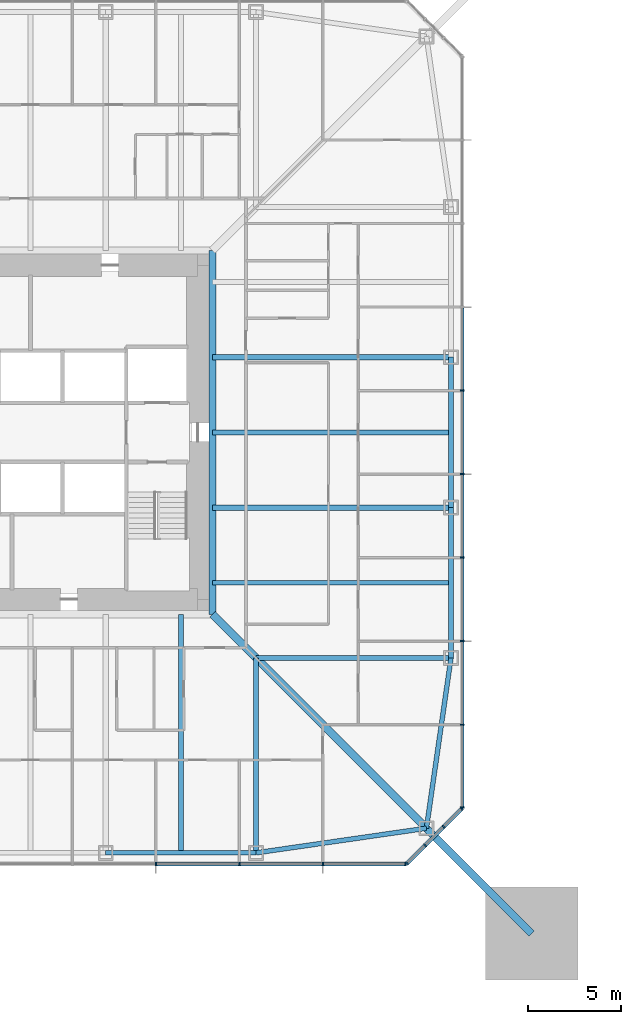
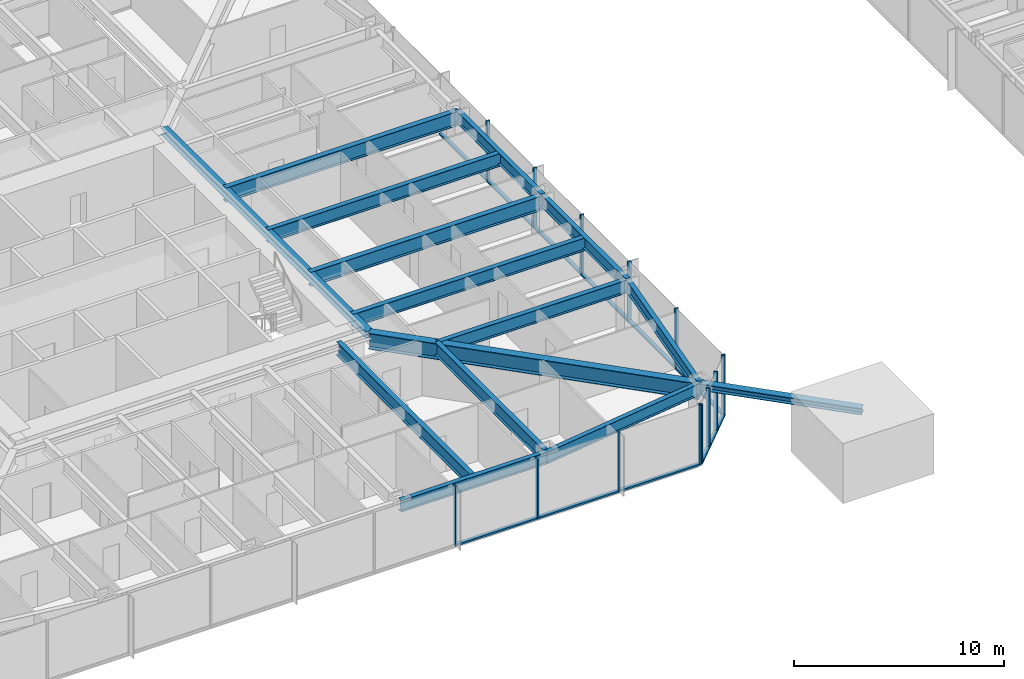
# One storey, part 5 of 26: 27 members, 14 beams, 3 elements without a shape of their own.
"""IFC4 building model written with IfcOpenShell, lengths in metres."""

from ifc_helpers import new_model, si_unit, direction, frame, origin, origin_2d, place, context, subcontext, project, spatial, rectangle, i_section, extrude, material, material_profile, profile_set, type_object, element, aggregate, save


model = new_model("IFC4")

# Units and contexts
model_context = context("Model", 3, precision=1e-05, world=origin(), true_north=direction((0.0, 1.0)))
body_context = subcontext(model_context, "Body", "Model", "MODEL_VIEW")
ifc_project = project(units=[si_unit("LENGTHUNIT", "METRE"), si_unit("AREAUNIT", "SQUARE_METRE"), si_unit("VOLUMEUNIT", "CUBIC_METRE"), si_unit("PLANEANGLEUNIT", "RADIAN"), si_unit("MASSUNIT", "GRAM", prefix="KILO")], contexts=[model_context])

# Site, building, storey
site_placement = place(None, origin())
site = spatial("IfcSite", under=ifc_project, at=site_placement, CompositionType="ELEMENT")
building_placement = place(site_placement, origin())
building = spatial("IfcBuilding", under=site, at=building_placement, Name="Iwan Alto Co-Living Towers", CompositionType="ELEMENT")
storey_placement = place(building_placement, frame((0.0, 0.0, 57.0)))
storey = spatial("IfcBuildingStorey", under=building, at=storey_placement, Name="L15", CompositionType="ELEMENT", Elevation=57.0)

# Curtain wall, members
ifc_material_1 = material(Name="Bronze aluminium unitised frame", Category="aluminium")
curtain_wall_type_1 = type_object("IfcCurtainWallType", Name="CURTAIN WALL CW-A", PredefinedType="NOTDEFINED", material=ifc_material_1)
curtain_wall_1_placement = place(storey_placement, origin())
curtain_wall_1 = element("IfcCurtainWall", 1, at=curtain_wall_1_placement, inside=storey, type_object=curtain_wall_type_1, Name="T1 curtain wall S L15", PredefinedType="NOTDEFINED")
ifc_material_2 = material(Name="Aluminium 6063-T6 bronze anodised", Category="aluminium")
ifc_material_profile_1 = material_profile(ifc_material_2, rectangle(XDim=0.199951171875, YDim=0.080078125, at=origin_2d()), Name="AL 80X200")
ifc_profile_set_1 = profile_set([ifc_material_profile_1], Name="Aluminium 6063-T6 bronze anodised")
member_type_1 = type_object("IfcMemberType", Name="CW-A MULLION 80X200", PredefinedType="MULLION", material=ifc_profile_set_1)
member_1_placement = place(storey_placement, frame((6.75, -23.25, 0.0), z_axis=(0.0, 0.0, 1.0), x_axis=(0.0, 1.0, 0.0)))
member_1 = element("IfcMember", 2, at=member_1_placement, type_object=member_type_1, Name="CW-A mullion 7", PredefinedType="MULLION", context=body_context, shape_type="SweptSolid", body=[
    extrude(rectangle(XDim=0.199951171875, YDim=0.080078125, at=origin_2d()), origin(), (0.0, 0.0, 1.0), 3.5),
])
member_2_placement = place(storey_placement, frame((11.25, -23.25, 0.0), z_axis=(0.0, 0.0, 1.0), x_axis=(0.0, 1.0, 0.0)))
member_2 = element("IfcMember", 3, at=member_2_placement, type_object=member_type_1, Name="CW-A mullion 8", PredefinedType="MULLION", context=body_context, shape_type="SweptSolid", body=[
    extrude(rectangle(XDim=0.199951171875, YDim=0.080078125, at=origin_2d()), origin(), (0.0, 0.0, 1.0), 3.5),
])
member_3_placement = place(storey_placement, frame((15.75, -23.25, 0.0), z_axis=(0.0, 0.0, 1.0), x_axis=(0.0, 1.0, 0.0)))
member_3 = element("IfcMember", 4, at=member_3_placement, type_object=member_type_1, Name="CW-A mullion 9", PredefinedType="MULLION", context=body_context, shape_type="SweptSolid", body=[
    extrude(rectangle(XDim=0.199951171875, YDim=0.080078125, at=origin_2d()), origin(), (0.0, 0.0, 1.0), 3.5),
])
member_4_placement = place(storey_placement, frame((20.2099609375, -23.25, 0.0), z_axis=(0.0, 0.0, 1.0), x_axis=(0.0, 1.0, 0.0)))
member_4 = element("IfcMember", 5, at=member_4_placement, type_object=member_type_1, Name="CW-A mullion 10", PredefinedType="MULLION", context=body_context, shape_type="SweptSolid", body=[
    extrude(rectangle(XDim=0.199951171875, YDim=0.080078125, at=origin_2d()), origin(), (0.0, 0.0, 1.0), 3.5),
])

curtain_wall_2_placement = place(storey_placement, origin())
curtain_wall_2 = element("IfcCurtainWall", 6, at=curtain_wall_2_placement, inside=storey, type_object=curtain_wall_type_1, Name="T1 curtain wall E L15", PredefinedType="NOTDEFINED")
member_5_placement = place(storey_placement, frame((23.25, -20.2099609375, 0.0), z_axis=(0.0, 0.0, 1.0), x_axis=(-1.0, 0.0, 0.0)))
member_5 = element("IfcMember", 7, at=member_5_placement, type_object=member_type_1, Name="CW-A mullion 1", PredefinedType="MULLION", context=body_context, shape_type="SweptSolid", body=[
    extrude(rectangle(XDim=0.199951171875, YDim=0.080078125, at=origin_2d()), origin(), (0.0, 0.0, 1.0), 3.5),
])
member_6_placement = place(storey_placement, frame((23.25, -15.75, 0.0), z_axis=(0.0, 0.0, 1.0), x_axis=(-1.0, 0.0, 0.0)))
member_6 = element("IfcMember", 8, at=member_6_placement, type_object=member_type_1, Name="CW-A mullion 2", PredefinedType="MULLION", context=body_context, shape_type="SweptSolid", body=[
    extrude(rectangle(XDim=0.199951171875, YDim=0.080078125, at=origin_2d()), origin(), (0.0, 0.0, 1.0), 3.5),
])
member_7_placement = place(storey_placement, frame((23.25, -11.25, 0.0), z_axis=(0.0, 0.0, 1.0), x_axis=(-1.0, 0.0, 0.0)))
member_7 = element("IfcMember", 9, at=member_7_placement, type_object=member_type_1, Name="CW-A mullion 3", PredefinedType="MULLION", context=body_context, shape_type="SweptSolid", body=[
    extrude(rectangle(XDim=0.199951171875, YDim=0.080078125, at=origin_2d()), origin(), (0.0, 0.0, 1.0), 3.5),
])
member_8_placement = place(storey_placement, frame((23.25, -6.75, 0.0), z_axis=(0.0, 0.0, 1.0), x_axis=(-1.0, 0.0, 0.0)))
member_8 = element("IfcMember", 10, at=member_8_placement, type_object=member_type_1, Name="CW-A mullion 4", PredefinedType="MULLION", context=body_context, shape_type="SweptSolid", body=[
    extrude(rectangle(XDim=0.199951171875, YDim=0.080078125, at=origin_2d()), origin(), (0.0, 0.0, 1.0), 3.5),
])
member_9_placement = place(storey_placement, frame((23.25, -2.25, 0.0), z_axis=(0.0, 0.0, 1.0), x_axis=(-1.0, 0.0, 0.0)))
member_9 = element("IfcMember", 11, at=member_9_placement, type_object=member_type_1, Name="CW-A mullion 5", PredefinedType="MULLION", context=body_context, shape_type="SweptSolid", body=[
    extrude(rectangle(XDim=0.199951171875, YDim=0.080078125, at=origin_2d()), origin(), (0.0, 0.0, 1.0), 3.5),
])
member_10_placement = place(storey_placement, frame((23.25, 2.25, 0.0), z_axis=(0.0, 0.0, 1.0), x_axis=(-1.0, 0.0, 0.0)))
member_10 = element("IfcMember", 12, at=member_10_placement, type_object=member_type_1, Name="CW-A mullion 6", PredefinedType="MULLION", context=body_context, shape_type="SweptSolid", body=[
    extrude(rectangle(XDim=0.199951171875, YDim=0.080078125, at=origin_2d()), origin(), (0.0, 0.0, 1.0), 3.5),
])

# Member
ifc_material_3 = material(Name="Aluminium 6063-T6 bronze anodised", Category="aluminium")
ifc_material_profile_2 = material_profile(ifc_material_3, rectangle(XDim=0.199951171875, YDim=0.10009765625, at=origin_2d()), Name="AL 200X100")
ifc_profile_set_2 = profile_set([ifc_material_profile_2], Name="Aluminium 6063-T6 bronze anodised")
member_type_2 = type_object("IfcMemberType", Name="CW-A TRANSOM 200X100", PredefinedType="USERDEFINED", material=ifc_profile_set_2)
member_11_placement = place(storey_placement, frame((6.7900390625, -23.25, 0.050048828125), z_axis=(1.0, 0.0, 0.0), x_axis=(0.0, 1.0, 0.0)))
member_11 = element("IfcMember", 13, at=member_11_placement, type_object=member_type_2, Name="CW-A transom 7.1", ObjectType="TRANSOM", PredefinedType="USERDEFINED", context=body_context, shape_type="SweptSolid", body=[
    extrude(rectangle(XDim=0.199951171875, YDim=0.10009765625, at=origin_2d()), origin(), (0.0, 0.0, 1.0), 4.419921875),
])

member_12_placement = place(storey_placement, frame((11.2900390625, -23.25, 0.050048828125), z_axis=(1.0, 0.0, 0.0), x_axis=(0.0, 1.0, 0.0)))
member_12 = element("IfcMember", 14, at=member_12_placement, type_object=member_type_2, Name="CW-A transom 8.1", ObjectType="TRANSOM", PredefinedType="USERDEFINED", context=body_context, shape_type="SweptSolid", body=[
    extrude(rectangle(XDim=0.199951171875, YDim=0.10009765625, at=origin_2d()), origin(), (0.0, 0.0, 1.0), 4.419921875),
])

member_13_placement = place(storey_placement, frame((15.7900390625, -23.25, 0.050048828125), z_axis=(1.0, 0.0, 0.0), x_axis=(0.0, 1.0, 0.0)))
member_13 = element("IfcMember", 15, at=member_13_placement, type_object=member_type_2, Name="CW-A transom 9.1", ObjectType="TRANSOM", PredefinedType="USERDEFINED", context=body_context, shape_type="SweptSolid", body=[
    extrude(rectangle(XDim=0.199951171875, YDim=0.10009765625, at=origin_2d()), origin(), (0.0, 0.0, 1.0), 4.3798828125),
])

aggregate(curtain_wall_1, [member_1, member_2, member_3, member_4, member_11, member_12, member_13])

member_14_placement = place(storey_placement, frame((23.25, -20.169921875, 0.050048828125), z_axis=(0.0, 1.0, 0.0), x_axis=(-1.0, 0.0, 0.0)))
member_14 = element("IfcMember", 16, at=member_14_placement, type_object=member_type_2, Name="CW-A transom 1.1", ObjectType="TRANSOM", PredefinedType="USERDEFINED", context=body_context, shape_type="SweptSolid", body=[
    extrude(rectangle(XDim=0.199951171875, YDim=0.10009765625, at=origin_2d()), origin(), (0.0, 0.0, 1.0), 4.3798828125),
])

member_15_placement = place(storey_placement, frame((23.25, -15.7099609375, 0.050048828125), z_axis=(0.0, 1.0, 0.0), x_axis=(-1.0, 0.0, 0.0)))
member_15 = element("IfcMember", 17, at=member_15_placement, type_object=member_type_2, Name="CW-A transom 2.1", ObjectType="TRANSOM", PredefinedType="USERDEFINED", context=body_context, shape_type="SweptSolid", body=[
    extrude(rectangle(XDim=0.199951171875, YDim=0.10009765625, at=origin_2d()), origin(), (0.0, 0.0, 1.0), 4.419921875),
])

member_16_placement = place(storey_placement, frame((23.25, -11.2099609375, 0.050048828125), z_axis=(0.0, 1.0, 0.0), x_axis=(-1.0, 0.0, 0.0)))
member_16 = element("IfcMember", 18, at=member_16_placement, type_object=member_type_2, Name="CW-A transom 3.1", ObjectType="TRANSOM", PredefinedType="USERDEFINED", context=body_context, shape_type="SweptSolid", body=[
    extrude(rectangle(XDim=0.199951171875, YDim=0.10009765625, at=origin_2d()), origin(), (0.0, 0.0, 1.0), 4.419921875),
])

member_17_placement = place(storey_placement, frame((23.25, -6.7099609375, 0.050048828125), z_axis=(0.0, 1.0, 0.0), x_axis=(-1.0, 0.0, 0.0)))
member_17 = element("IfcMember", 19, at=member_17_placement, type_object=member_type_2, Name="CW-A transom 4.1", ObjectType="TRANSOM", PredefinedType="USERDEFINED", context=body_context, shape_type="SweptSolid", body=[
    extrude(rectangle(XDim=0.199951171875, YDim=0.10009765625, at=origin_2d()), origin(), (0.0, 0.0, 1.0), 4.419921875),
])

member_18_placement = place(storey_placement, frame((23.25, -2.2099609375, 0.050048828125), z_axis=(0.0, 1.0, 0.0), x_axis=(-1.0, 0.0, 0.0)))
member_18 = element("IfcMember", 20, at=member_18_placement, type_object=member_type_2, Name="CW-A transom 5.1", ObjectType="TRANSOM", PredefinedType="USERDEFINED", context=body_context, shape_type="SweptSolid", body=[
    extrude(rectangle(XDim=0.199951171875, YDim=0.10009765625, at=origin_2d()), origin(), (0.0, 0.0, 1.0), 4.419921875),
])

member_19_placement = place(storey_placement, frame((23.25, 2.2900390625, 0.050048828125), z_axis=(0.0, 1.0, 0.0), x_axis=(-1.0, 0.0, 0.0)))
member_19 = element("IfcMember", 21, at=member_19_placement, type_object=member_type_2, Name="CW-A transom 6.1", ObjectType="TRANSOM", PredefinedType="USERDEFINED", context=body_context, shape_type="SweptSolid", body=[
    extrude(rectangle(XDim=0.199951171875, YDim=0.10009765625, at=origin_2d()), origin(), (0.0, 0.0, 1.0), 4.419921875),
])

aggregate(curtain_wall_2, [member_5, member_6, member_7, member_8, member_9, member_10, member_14, member_15, member_16, member_17, member_18, member_19])

# Curtain wall, members
ifc_material_4 = material(Name="Bronze aluminium unitised frame", Category="aluminium")
curtain_wall_type_2 = type_object("IfcCurtainWallType", Name="CURTAIN WALL CW-B", PredefinedType="NOTDEFINED", material=ifc_material_4)
curtain_wall_3_placement = place(storey_placement, origin())
curtain_wall_3 = element("IfcCurtainWall", 22, at=curtain_wall_3_placement, inside=storey, type_object=curtain_wall_type_2, Name="T1 chamfer curtain wall SE L15", PredefinedType="NOTDEFINED")
ifc_material_5 = material(Name="Aluminium 6063-T6 bronze anodised", Category="aluminium")
ifc_material_profile_3 = material_profile(ifc_material_5, rectangle(XDim=0.199951171875, YDim=0.080078125, at=origin_2d()), Name="AL 80X200")
ifc_profile_set_3 = profile_set([ifc_material_profile_3], Name="Aluminium 6063-T6 bronze anodised")
member_type_3 = type_object("IfcMemberType", Name="CW-B MULLION 80X200", PredefinedType="MULLION", material=ifc_profile_set_3)
member_20_placement = place(storey_placement, frame((20.2783203125, -23.2216796875, 0.0), z_axis=(0.0, 0.0, 1.0), x_axis=(-0.707106781187, 0.707106781187, 0.0)))
member_20 = element("IfcMember", 23, at=member_20_placement, type_object=member_type_3, Name="CW-B mullion 1", PredefinedType="MULLION", context=body_context, shape_type="SweptSolid", body=[
    extrude(rectangle(XDim=0.199951171875, YDim=0.080078125, at=origin_2d()), origin(), (0.0, 0.0, 1.0), 3.5),
])
member_21_placement = place(storey_placement, frame((21.25, -22.25, 0.0), z_axis=(0.0, 0.0, 1.0), x_axis=(-0.707106781187, 0.707106781187, 0.0)))
member_21 = element("IfcMember", 24, at=member_21_placement, type_object=member_type_3, Name="CW-B mullion 2", PredefinedType="MULLION", context=body_context, shape_type="SweptSolid", body=[
    extrude(rectangle(XDim=0.199951171875, YDim=0.080078125, at=origin_2d()), origin(), (0.0, 0.0, 1.0), 3.5),
])
member_22_placement = place(storey_placement, frame((22.25, -21.25, 0.0), z_axis=(0.0, 0.0, 1.0), x_axis=(-0.707106781187, 0.707106781187, 0.0)))
member_22 = element("IfcMember", 25, at=member_22_placement, type_object=member_type_3, Name="CW-B mullion 3", PredefinedType="MULLION", context=body_context, shape_type="SweptSolid", body=[
    extrude(rectangle(XDim=0.199951171875, YDim=0.080078125, at=origin_2d()), origin(), (0.0, 0.0, 1.0), 3.5),
])
member_23_placement = place(storey_placement, frame((23.2216796875, -20.2783203125, 0.0), z_axis=(0.0, 0.0, 1.0), x_axis=(-0.707106781187, 0.707106781187, 0.0)))
member_23 = element("IfcMember", 26, at=member_23_placement, type_object=member_type_3, Name="CW-B mullion 4", PredefinedType="MULLION", context=body_context, shape_type="SweptSolid", body=[
    extrude(rectangle(XDim=0.199951171875, YDim=0.080078125, at=origin_2d()), origin(), (0.0, 0.0, 1.0), 3.5),
])
ifc_material_6 = material(Name="Aluminium 6063-T6 bronze anodised", Category="aluminium")
ifc_material_profile_4 = material_profile(ifc_material_6, rectangle(XDim=0.199951171875, YDim=0.10009765625, at=origin_2d()), Name="AL 200X100")
ifc_profile_set_4 = profile_set([ifc_material_profile_4], Name="Aluminium 6063-T6 bronze anodised")
member_type_4 = type_object("IfcMemberType", Name="CW-B TRANSOM 200X100", PredefinedType="USERDEFINED", material=ifc_profile_set_4)
member_24_placement = place(storey_placement, frame((20.306640625, -23.193359375, 0.050048828125), z_axis=(0.707106781187, 0.707106781187, 0.0), x_axis=(-0.707106781187, 0.707106781187, 0.0)))
member_24 = element("IfcMember", 27, at=member_24_placement, type_object=member_type_4, Name="CW-B transom 1.1", ObjectType="TRANSOM", PredefinedType="USERDEFINED", context=body_context, shape_type="SweptSolid", body=[
    extrude(rectangle(XDim=0.199951171875, YDim=0.10009765625, at=origin_2d()), origin(), (0.0, 0.0, 1.0), 1.2939453125),
])
member_25_placement = place(storey_placement, frame((21.2783203125, -22.2216796875, 0.050048828125), z_axis=(0.707106781187, 0.707106781187, 0.0), x_axis=(-0.707106781187, 0.707106781187, 0.0)))
member_25 = element("IfcMember", 28, at=member_25_placement, type_object=member_type_4, Name="CW-B transom 2.1", ObjectType="TRANSOM", PredefinedType="USERDEFINED", context=body_context, shape_type="SweptSolid", body=[
    extrude(rectangle(XDim=0.199951171875, YDim=0.10009765625, at=origin_2d()), origin(), (0.0, 0.0, 1.0), 1.334228515625),
])
member_26_placement = place(storey_placement, frame((22.2783203125, -21.2216796875, 0.050048828125), z_axis=(0.707106781187, 0.707106781187, 0.0), x_axis=(-0.707106781187, 0.707106781187, 0.0)))
member_26 = element("IfcMember", 29, at=member_26_placement, type_object=member_type_4, Name="CW-B transom 3.1", ObjectType="TRANSOM", PredefinedType="USERDEFINED", context=body_context, shape_type="SweptSolid", body=[
    extrude(rectangle(XDim=0.199951171875, YDim=0.10009765625, at=origin_2d()), origin(), (0.0, 0.0, 1.0), 1.2939453125),
])
aggregate(curtain_wall_3, [member_20, member_21, member_22, member_23, member_24, member_25, member_26])

# Beams
ifc_material_7 = material(Name="Steel ASTM A992 Gr 50", Category="steel")
ifc_material_profile_5 = material_profile(ifc_material_7, i_section(OverallWidth=0.398681640625, OverallDepth=0.385986328125, WebThickness=0.02099609375, FlangeThickness=0.033203125, at=origin_2d()), Name="W14X176")
ifc_profile_set_5 = profile_set([ifc_material_profile_5], Name="Steel ASTM A992 Gr 50")
beam_type_1 = type_object("IfcBeamType", Name="T1 CORE LEDGER BEAM W14X176", PredefinedType="BEAM", material=ifc_profile_set_5)
beam_1_placement = place(storey_placement, frame((9.79931640625, -9.79931640625, 3.076904296875), z_axis=(0.0, 1.0, 0.0), x_axis=(-1.0, 0.0, 0.0)))
element("IfcBeam", 30, at=beam_1_placement, inside=storey, type_object=beam_type_1, Name="T1 core ledger beam E L16", PredefinedType="BEAM", context=body_context, shape_type="SweptSolid", body=[
    extrude(i_section(OverallWidth=0.398681640625, OverallDepth=0.385986328125, WebThickness=0.02099609375, FlangeThickness=0.033203125, at=origin_2d()), origin(), (0.0, 0.0, 1.0), 19.5986328125),
])
ifc_material_8 = material(Name="Steel ASTM A992 Gr 50", Category="steel")
ifc_material_profile_6 = material_profile(ifc_material_8, i_section(OverallWidth=0.419189453125, OverallDepth=0.927001953125, WebThickness=0.019287109375, FlangeThickness=0.031982421875, at=origin_2d()), Name="W36X231")
ifc_profile_set_6 = profile_set([ifc_material_profile_6], Name="Steel ASTM A992 Gr 50")
beam_type_2 = type_object("IfcBeamType", Name="T1 CORNER GIRDER W36X231", PredefinedType="BEAM", material=ifc_profile_set_6)
beam_2_placement = place(storey_placement, frame((21.32568359375, -21.32568359375, 2.806396484375), z_axis=(-0.707106781187, 0.707106781187, 0.0), x_axis=(-0.707106781187, -0.707106781187, 0.0)))
element("IfcBeam", 31, at=beam_2_placement, inside=storey, type_object=beam_type_2, Name="T1 corner girder CSE L16", PredefinedType="BEAM", context=body_context, shape_type="SweptSolid", body=[
    extrude(i_section(OverallWidth=0.419189453125, OverallDepth=0.927001953125, WebThickness=0.019287109375, FlangeThickness=0.031982421875, at=origin_2d()), origin(), (0.0, 0.0, 1.0), 16.30078125),
])
ifc_material_9 = material(Name="Steel ASTM A992 Gr 50", Category="steel")
ifc_material_profile_7 = material_profile(ifc_material_9, i_section(OverallWidth=0.25390625, OverallDepth=0.683349609375, WebThickness=0.012451171875, FlangeThickness=0.018798828125, at=origin_2d()), Name="W27X94")
ifc_profile_set_7 = profile_set([ifc_material_profile_7], Name="Steel ASTM A992 Gr 50")
beam_type_3 = type_object("IfcBeamType", Name="T1 EDGE BEAM W27X94", PredefinedType="BEAM", material=ifc_profile_set_7)
beam_3_placement = place(storey_placement, frame((4.050048828125, -22.64990234375, 2.928466796875), z_axis=(1.0, 0.0, 0.0), x_axis=(0.0, 1.0, 0.0)))
element("IfcBeam", 32, at=beam_3_placement, inside=storey, type_object=beam_type_3, Name="T1 edge beam S3 L16", PredefinedType="BEAM", context=body_context, shape_type="SweptSolid", body=[
    extrude(i_section(OverallWidth=0.25390625, OverallDepth=0.683349609375, WebThickness=0.012451171875, FlangeThickness=0.018798828125, at=origin_2d()), origin(), (0.0, 0.0, 1.0), 8.099853515625),
])
for number, where, z_axis, x_axis, name in (
    (33, (12.14990234375, -22.64990234375, 2.928466796875), (0.989746234347, 0.142836940589, 0.0), (-0.142836940589, 0.989746234347, 0.0), "T1 edge beam S4 L16"),
    (34, (21.32568359375, -21.32568359375, 2.928466796875), (0.142836940589, 0.989746234347, 0.0), (-0.989746234347, 0.142836940589, 0.0), "T1 edge beam CSE L16"),
):
    element("IfcBeam", number, at=place(storey_placement, frame(where, z_axis=z_axis, x_axis=x_axis)), inside=storey, type_object=beam_type_3, Name=name, PredefinedType="BEAM", context=body_context, shape_type="SweptSolid", body=[
        extrude(i_section(OverallWidth=0.25390625, OverallDepth=0.683349609375, WebThickness=0.012451171875, FlangeThickness=0.018798828125, at=origin_2d()), origin(), (0.0, 0.0, 1.0), 9.270751953125),
    ])
beam_4_placement = place(storey_placement, frame((22.64990234375, -12.14990234375, 2.928466796875), z_axis=(0.0, 1.0, 0.0), x_axis=(-1.0, 0.0, 0.0)))
element("IfcBeam", 35, at=beam_4_placement, inside=storey, type_object=beam_type_3, Name="T1 edge beam E1 L16", PredefinedType="BEAM", context=body_context, shape_type="SweptSolid", body=[
    extrude(i_section(OverallWidth=0.25390625, OverallDepth=0.683349609375, WebThickness=0.012451171875, FlangeThickness=0.018798828125, at=origin_2d()), origin(), (0.0, 0.0, 1.0), 8.099853515625),
])
beam_5_placement = place(storey_placement, frame((22.64990234375, -4.050048828125, 2.928466796875), z_axis=(0.0, 1.0, 0.0), x_axis=(-1.0, 0.0, 0.0)))
element("IfcBeam", 36, at=beam_5_placement, inside=storey, type_object=beam_type_3, Name="T1 edge beam E2 L16", PredefinedType="BEAM", context=body_context, shape_type="SweptSolid", body=[
    extrude(i_section(OverallWidth=0.25390625, OverallDepth=0.683349609375, WebThickness=0.012451171875, FlangeThickness=0.018798828125, at=origin_2d()), origin(), (0.0, 0.0, 1.0), 8.10009765625),
])

# Member
ifc_material_10 = material(Name="Steel ASTM A992 Gr 50", Category="steel")
ifc_material_profile_8 = material_profile(ifc_material_10, i_section(OverallWidth=0.393798828125, OverallDepth=0.3759765625, WebThickness=0.017333984375, FlangeThickness=0.027587890625, at=origin_2d()), Name="W14X145")
ifc_profile_set_8 = profile_set([ifc_material_profile_8], Name="Steel ASTM A992 Gr 50")
member_type_5 = type_object("IfcMemberType", Name="T1 MEGA COLUMN FLOOR TIE W14X145", PredefinedType="STRUT", material=ifc_profile_set_8)
member_27_placement = place(storey_placement, frame((27.0, -27.0, 3.08203125), z_axis=(-0.707106781187, 0.707106781187, 0.0), x_axis=(-0.707106781187, -0.707106781187, 0.0)))
element("IfcMember", 37, at=member_27_placement, inside=storey, type_object=member_type_5, Name="T1 mega column floor tie SE L16", PredefinedType="STRUT", context=body_context, shape_type="SweptSolid", body=[
    extrude(i_section(OverallWidth=0.393798828125, OverallDepth=0.3759765625, WebThickness=0.017333984375, FlangeThickness=0.027587890625, at=origin_2d()), origin(), (0.0, 0.0, 1.0), 8.024658203125),
])

# Beams
ifc_material_11 = material(Name="Steel ASTM A992 Gr 50", Category="steel")
ifc_material_profile_9 = material_profile(ifc_material_11, i_section(OverallWidth=0.2666015625, OverallDepth=0.761962890625, WebThickness=0.014404296875, FlangeThickness=0.021484375, at=origin_2d()), Name="W30X116")
ifc_profile_set_9 = profile_set([ifc_material_profile_9], Name="Steel ASTM A992 Gr 50")
beam_type_4 = type_object("IfcBeamType", Name="T1 RADIAL BEAM W30X116", PredefinedType="BEAM", material=ifc_profile_set_9)
for number, where, z_axis, x_axis, name in (
    (38, (12.14990234375, -22.64990234375, 2.888916015625), (0.0, 1.0, 0.0), (-1.0, 0.0, 0.0), "T1 radial beam S4 L16"),
    (39, (22.64990234375, -12.14990234375, 2.888916015625), (-1.0, 0.0, 0.0), (0.0, -1.0, 0.0), "T1 radial beam E1 L16"),
):
    element("IfcBeam", number, at=place(storey_placement, frame(where, z_axis=z_axis, x_axis=x_axis)), inside=storey, type_object=beam_type_4, Name=name, PredefinedType="BEAM", context=body_context, shape_type="SweptSolid", body=[
        extrude(i_section(OverallWidth=0.2666015625, OverallDepth=0.761962890625, WebThickness=0.014404296875, FlangeThickness=0.021484375, at=origin_2d()), origin(), (0.0, 0.0, 1.0), 10.5),
    ])
ifc_material_12 = material(Name="Steel ASTM A992 Gr 50", Category="steel")
ifc_material_profile_10 = material_profile(ifc_material_12, i_section(OverallWidth=0.2919921875, OverallDepth=0.8408203125, WebThickness=0.0146484375, FlangeThickness=0.021728515625, at=origin_2d()), Name="W33X130")
ifc_profile_set_10 = profile_set([ifc_material_profile_10], Name="Steel ASTM A992 Gr 50")
beam_type_5 = type_object("IfcBeamType", Name="T1 RADIAL BEAM W33X130", PredefinedType="BEAM", material=ifc_profile_set_10)
for number, where, z_axis, x_axis, name in (
    (40, (22.64990234375, -4.050048828125, 2.849609375), (-1.0, 0.0, 0.0), (0.0, -1.0, 0.0), "T1 radial beam E2 L16"),
    (41, (22.64990234375, 4.050048828125, 2.849609375), (-1.0, 0.0, 0.0), (0.0, -1.0, 0.0), "T1 radial beam E3 L16"),
):
    element("IfcBeam", number, at=place(storey_placement, frame(where, z_axis=z_axis, x_axis=x_axis)), inside=storey, type_object=beam_type_5, Name=name, PredefinedType="BEAM", context=body_context, shape_type="SweptSolid", body=[
        extrude(i_section(OverallWidth=0.2919921875, OverallDepth=0.8408203125, WebThickness=0.0146484375, FlangeThickness=0.021728515625, at=origin_2d()), origin(), (0.0, 0.0, 1.0), 12.8505859375),
    ])
ifc_material_13 = material(Name="Steel ASTM A992 Gr 50", Category="steel")
ifc_material_profile_11 = material_profile(ifc_material_13, i_section(OverallWidth=0.2666015625, OverallDepth=0.761962890625, WebThickness=0.014404296875, FlangeThickness=0.021484375, at=origin_2d()), Name="W30X116")
ifc_profile_set_11 = profile_set([ifc_material_profile_11], Name="Steel ASTM A992 Gr 50")
beam_type_6 = type_object("IfcBeamType", Name="T1 SECONDARY BEAM W30X116", PredefinedType="JOIST", material=ifc_profile_set_11)
for number, where, z_axis, x_axis, name in (
    (42, (8.10009765625, -22.64990234375, 2.888916015625), (0.0, 1.0, 0.0), (-1.0, 0.0, 0.0), "T1 secondary beam S3 L16"),
    (43, (22.64990234375, -8.10009765625, 2.888916015625), (-1.0, 0.0, 0.0), (0.0, -1.0, 0.0), "T1 secondary beam E1 L16"),
    (44, (22.64990234375, 0.0, 2.888916015625), (-1.0, 0.0, 0.0), (0.0, -1.0, 0.0), "T1 secondary beam E2 L16"),
):
    element("IfcBeam", number, at=place(storey_placement, frame(where, z_axis=z_axis, x_axis=x_axis)), inside=storey, type_object=beam_type_6, Name=name, PredefinedType="JOIST", context=body_context, shape_type="SweptSolid", body=[
        extrude(i_section(OverallWidth=0.2666015625, OverallDepth=0.761962890625, WebThickness=0.014404296875, FlangeThickness=0.021484375, at=origin_2d()), origin(), (0.0, 0.0, 1.0), 12.8505859375),
    ])

save(model, "model.ifc")
